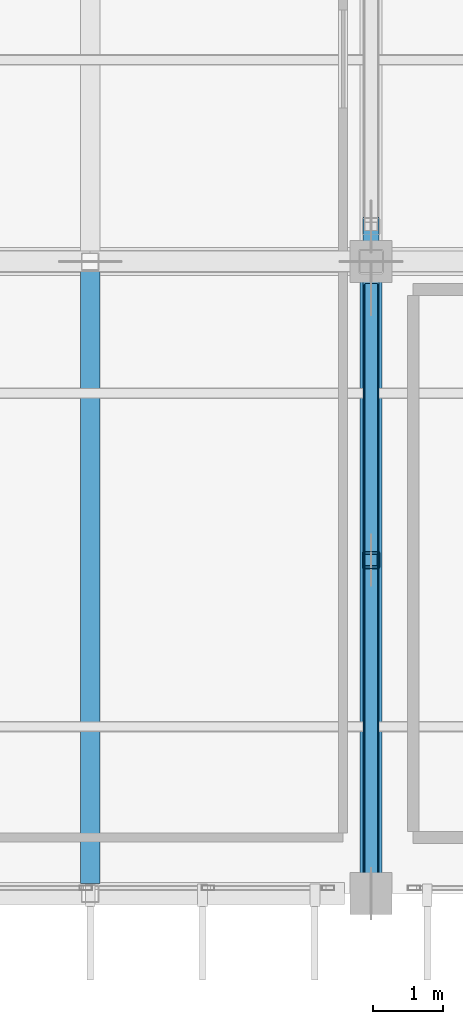
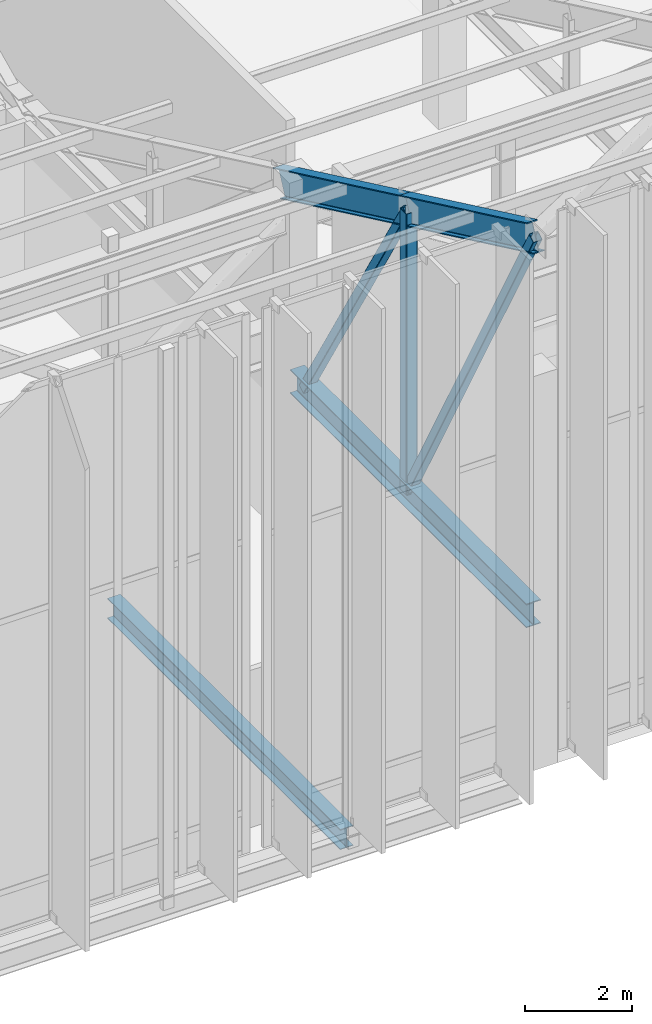
# One storey, part 8 of 68: 4 beams, 3 members.
"""IFC4 building model written with IfcOpenShell, lengths in metres."""

from ifc_helpers import new_model, si_unit, direction, frame, origin, origin_2d, place, context, subcontext, project, spatial, hollow_rectangle, i_section, extrude, material, material_profile, profile_set, type_object, element, save


model = new_model("IFC4")

# Units and contexts
model_context = context("Model", 3, precision=1e-05, world=origin(), true_north=direction((0.0, 1.0)))
body_context = subcontext(model_context, "Body", "Model", "MODEL_VIEW")
ifc_project = project(units=[si_unit("LENGTHUNIT", "METRE"), si_unit("AREAUNIT", "SQUARE_METRE"), si_unit("VOLUMEUNIT", "CUBIC_METRE"), si_unit("PLANEANGLEUNIT", "RADIAN"), si_unit("MASSUNIT", "GRAM", prefix="KILO")], contexts=[model_context])

# Site, building, storey
site_placement = place(None, origin())
site = spatial("IfcSite", under=ifc_project, at=site_placement, CompositionType="ELEMENT")
building_placement = place(site_placement, origin())
building = spatial("IfcBuilding", under=site, at=building_placement, Name="Miravela Opera House", CompositionType="ELEMENT")
storey_placement = place(building_placement, frame((0.0, 0.0, 21.760009765625)))
storey = spatial("IfcBuildingStorey", under=building, at=storey_placement, Name="L05", CompositionType="ELEMENT", Elevation=21.760009765625)

# Beams
ifc_material_1 = material(Name="Structural steel ASTM A992 Gr. 50", Category="steel")
ifc_material_profile_1 = material_profile(ifc_material_1, i_section(OverallWidth=0.280029296875, OverallDepth=0.462890625, WebThickness=0.0107421875, FlangeThickness=0.017333984375, FilletRadius=0.014892578125, at=origin_2d()), Name="W460X113")
ifc_profile_set_1 = profile_set([ifc_material_profile_1])
beam_type_1 = type_object("IfcBeamType", Name="STR-BM-W460X113", PredefinedType="BEAM", material=ifc_profile_set_1)
beam_1_placement = place(storey_placement, frame((23.0, 37.14111328125, -0.471435546875), z_axis=(0.0, 1.0, 0.0), x_axis=(-1.0, 0.0, 0.0)))
element("IfcBeam", 1, at=beam_1_placement, inside=storey, type_object=beam_type_1, Name="Cantilever Overhang Beam L05 X=23", PredefinedType="BEAM", context=body_context, shape_type="SweptSolid", body=[
    extrude(i_section(OverallWidth=0.280029296875, OverallDepth=0.462890625, WebThickness=0.0107421875, FlangeThickness=0.017333984375, FilletRadius=0.014892578125, at=origin_2d()), origin(), (0.0, 0.0, 1.0), 8.7177734375),
])
ifc_material_profile_2 = material_profile(ifc_material_1, i_section(OverallWidth=0.31201171875, OverallDepth=0.54296875, WebThickness=0.0126953125, FlangeThickness=0.020263671875, FilletRadius=0.01611328125, at=origin_2d()), Name="W530X150")
ifc_profile_set_2 = profile_set([ifc_material_profile_2])
beam_type_2 = type_object("IfcBeamType", Name="STR-BM-W530X150", PredefinedType="BEAM", material=ifc_profile_set_2)
beam_2_placement = place(storey_placement, frame((27.0, 37.080078125, 3.280029296875), z_axis=(0.0, 1.0, 0.0), x_axis=(-1.0, 0.0, 0.0)))
element("IfcBeam", 2, at=beam_2_placement, inside=storey, type_object=beam_type_2, Name="V-Crest Roof Truss Bottom Tie Chord X=27 Seg 1", PredefinedType="BEAM", context=body_context, shape_type="SweptSolid", body=[
    extrude(i_section(OverallWidth=0.31201171875, OverallDepth=0.54296875, WebThickness=0.0126953125, FlangeThickness=0.020263671875, FilletRadius=0.01611328125, at=origin_2d()), origin(), (0.0, 0.0, 1.0), 8.83984375),
])
ifc_material_profile_3 = material_profile(ifc_material_1, i_section(OverallWidth=0.22998046875, OverallDepth=0.616943359375, WebThickness=0.01318359375, FlangeThickness=0.022216796875, FilletRadius=0.01806640625, at=origin_2d()), Name="W610X140")
ifc_profile_set_3 = profile_set([ifc_material_profile_3])
beam_type_3 = type_object("IfcBeamType", Name="STR-BM-W610X140", PredefinedType="BEAM", material=ifc_profile_set_3)
for number, where, z_axis, x_axis, name in (
    (3, (27.0, 37.0, 11.939453125), (0.0, 0.903737838894, -0.428086344739), (-1.0, 0.0, 0.0), "V-Crest Roof Rafter Girder X=27 Seg 1"),
    (4, (27.0, 41.75, 9.689453125), (0.0, 0.903737838894, -0.428086344739), (-1.0, 0.0, 0.0), "V-Crest Roof Rafter Girder X=27 Seg 2"),
):
    element("IfcBeam", number, at=place(storey_placement, frame(where, z_axis=z_axis, x_axis=x_axis)), inside=storey, type_object=beam_type_3, Name=name, PredefinedType="BEAM", context=body_context, shape_type="SweptSolid", body=[
        extrude(i_section(OverallWidth=0.22998046875, OverallDepth=0.616943359375, WebThickness=0.01318359375, FlangeThickness=0.022216796875, FilletRadius=0.01806640625, at=origin_2d()), origin(), (0.0, 0.0, 1.0), 5.255859375),
    ])

# Members
ifc_material_2 = material(Name="Hollow structural steel ASTM A500 Gr. C", Category="steel")
ifc_material_profile_4 = material_profile(ifc_material_2, hollow_rectangle(XDim=0.25, YDim=0.25, WallThickness=0.011962890625, InnerFilletRadius=0.011962890625, OuterFilletRadius=0.02392578125, at=origin_2d()), Name="HSS250X250X12")
ifc_profile_set_4 = profile_set([ifc_material_profile_4])
member_type_1 = type_object("IfcMemberType", Name="STR-MEM-CANT-POST2", PredefinedType="POST", material=ifc_profile_set_4)
member_1_placement = place(storey_placement, frame((27.0, 41.75, 3.280029296875), z_axis=(0.0, 0.0, 1.0), x_axis=(1.0, 0.0, 0.0)))
element("IfcMember", 5, at=member_1_placement, inside=storey, type_object=member_type_1, Name="V-Crest Roof Truss Panel Post X=27 Node 1", PredefinedType="POST", context=body_context, shape_type="SweptSolid", body=[
    extrude(hollow_rectangle(XDim=0.25, YDim=0.25, WallThickness=0.011962890625, InnerFilletRadius=0.011962890625, OuterFilletRadius=0.02392578125, at=origin_2d()), origin(), (0.0, 0.0, 1.0), 6.409912109375),
])
ifc_material_profile_5 = material_profile(ifc_material_2, hollow_rectangle(XDim=0.199951171875, YDim=0.199951171875, WallThickness=0.010009765625, InnerFilletRadius=0.010009765625, OuterFilletRadius=0.02001953125, at=origin_2d()), Name="HSS200X200X10")
ifc_profile_set_5 = profile_set([ifc_material_profile_5])
member_type_2 = type_object("IfcMemberType", Name="STR-MEM-WEDGE-WEB", PredefinedType="BRACE", material=ifc_profile_set_5)
member_2_placement = place(storey_placement, frame((27.0, 41.75, 3.280029296875), z_axis=(0.0, -0.480911686794, 0.876769040001), x_axis=(1.0, 0.0, 0.0)))
element("IfcMember", 6, at=member_2_placement, inside=storey, type_object=member_type_2, Name="V-Crest Roof Truss Web Diagonal X=27 Bay 1", PredefinedType="BRACE", context=body_context, shape_type="SweptSolid", body=[
    extrude(hollow_rectangle(XDim=0.199951171875, YDim=0.199951171875, WallThickness=0.010009765625, InnerFilletRadius=0.010009765625, OuterFilletRadius=0.02001953125, at=origin_2d()), origin(), (0.0, 0.0, 1.0), 9.876953125),
])
member_3_placement = place(storey_placement, frame((27.0, 45.60009765625, 3.280029296875), z_axis=(0.0, -0.514903832718, 0.857247947243), x_axis=(1.0, 0.0, 0.0)))
element("IfcMember", 7, at=member_3_placement, inside=storey, type_object=member_type_2, Name="V-Crest Roof Truss Web Diagonal X=27 Bay 2", PredefinedType="BRACE", context=body_context, shape_type="SweptSolid", body=[
    extrude(hollow_rectangle(XDim=0.199951171875, YDim=0.199951171875, WallThickness=0.010009765625, InnerFilletRadius=0.010009765625, OuterFilletRadius=0.02001953125, at=origin_2d()), origin(), (0.0, 0.0, 1.0), 7.477294921875),
])

save(model, "model.ifc")
